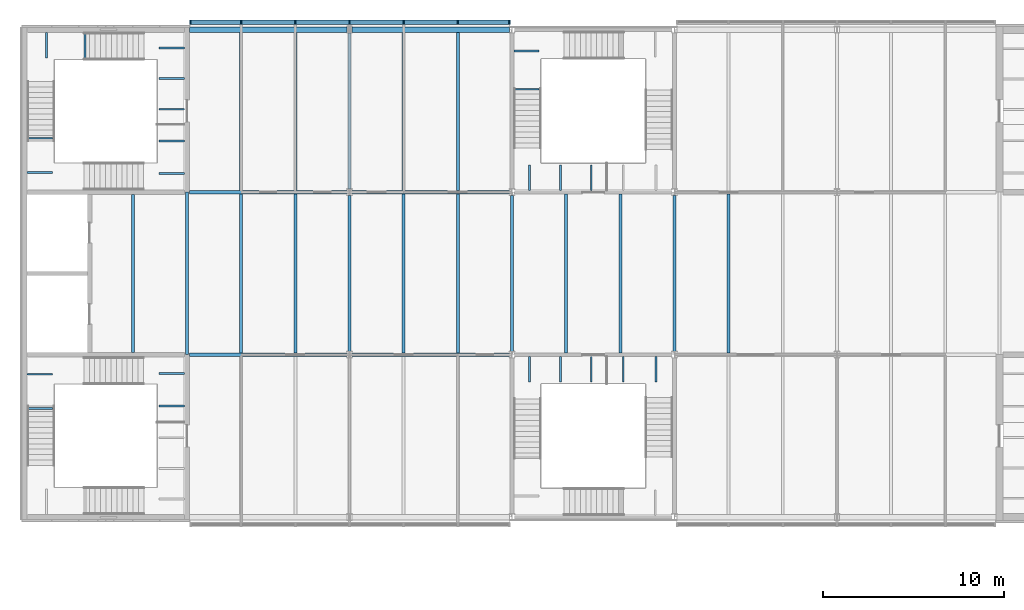
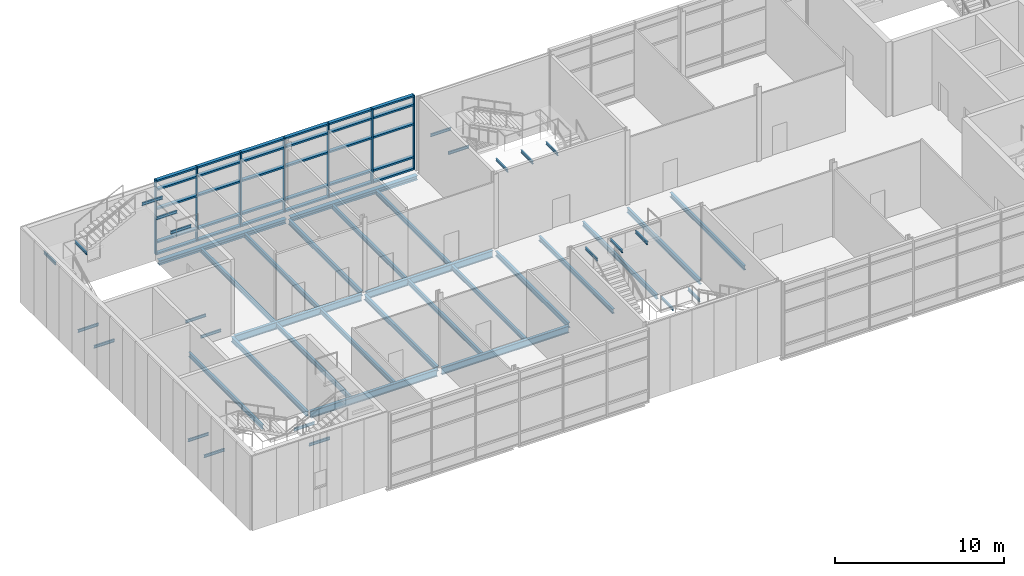
# One storey, part 15 of 52: 46 beams, 37 members, 1 element without a shape of its own.
"""IFC4 building model written with IfcOpenShell, lengths in metres."""

from ifc_helpers import new_model, si_unit, direction, frame, origin, origin_2d, place, context, subcontext, project, spatial, rectangle, i_section, extrude, material, material_profile, profile_set, type_object, element, aggregate, save


model = new_model("IFC4")

# Units and contexts
model_context = context("Model", 3, precision=1e-05, world=origin(), true_north=direction((0.0, 1.0)))
body_context = subcontext(model_context, "Body", "Model", "MODEL_VIEW")
ifc_project = project(units=[si_unit("LENGTHUNIT", "METRE"), si_unit("AREAUNIT", "SQUARE_METRE"), si_unit("VOLUMEUNIT", "CUBIC_METRE"), si_unit("PLANEANGLEUNIT", "RADIAN"), si_unit("MASSUNIT", "GRAM", prefix="KILO")], contexts=[model_context])

# Site, building, storey
site_placement = place(None, origin())
site = spatial("IfcSite", under=ifc_project, at=site_placement, CompositionType="ELEMENT")
building_placement = place(site_placement, origin())
building = spatial("IfcBuilding", under=site, at=building_placement, Name="Azimuth Sports and Learning Centre", CompositionType="ELEMENT")
storey_placement = place(building_placement, frame((0.0, 0.0, 16.199951171875)))
storey = spatial("IfcBuildingStorey", under=building, at=storey_placement, Name="L03", CompositionType="ELEMENT", Elevation=16.199951171875)

# Beams
ifc_material_1 = material(Name="Steel S355", Category="steel")
ifc_material_profile_1 = material_profile(ifc_material_1, i_section(OverallWidth=0.10009765625, OverallDepth=0.199951171875, WebThickness=0.005615234375, FlangeThickness=0.008544921875, FilletRadius=0.011962890625, at=origin_2d()), Name="IPE 200")
ifc_profile_set_1 = profile_set([ifc_material_profile_1], Name="Steel S355")
beam_type_1 = type_object("IfcBeamType", Name="Beam IPE 200", PredefinedType="BEAM", material=ifc_profile_set_1)
for number, where, z_axis, x_axis, name in (
    (1, (8.85009765625, 96.15380859375, -0.300048828125), (-1.0, 0.0, 0.0), (0.0, -1.0, 0.0), "Landing bracket WW1 L03 738"),
    (2, (8.85009765625, 97.961181640625, -0.300048828125), (-1.0, 0.0, 0.0), (0.0, -1.0, 0.0), "Landing bracket WW1 L03 739"),
    (3, (0.14990234375, 96.014892578125, 1.5), (1.0, 0.0, 0.0), (0.0, 1.0, 0.0), "Landing bracket WW1 L03 740"),
    (4, (0.14990234375, 97.9150390625, 1.5), (1.0, 0.0, 0.0), (0.0, 1.0, 0.0), "Landing bracket WW1 L03 741"),
    (5, (8.85009765625, 109.038818359375, -0.300048828125), (-1.0, 0.0, 0.0), (0.0, -1.0, 0.0), "Landing bracket WW2 L03 772"),
    (6, (8.85009765625, 110.84619140625, -0.300048828125), (-1.0, 0.0, 0.0), (0.0, -1.0, 0.0), "Landing bracket WW2 L03 773"),
    (7, (0.14990234375, 109.0849609375, 1.5), (1.0, 0.0, 0.0), (0.0, 1.0, 0.0), "Landing bracket WW2 L03 774"),
    (8, (0.14990234375, 110.985107421875, 1.5), (1.0, 0.0, 0.0), (0.0, 1.0, 0.0), "Landing bracket WW2 L03 775"),
    (9, (1.222412109375, 116.85009765625, 3.300048828125), (0.0, -1.0, 0.0), (1.0, 0.0, 0.0), "Landing bracket WW2 L03 776"),
    (10, (3.347412109375, 116.85009765625, 3.300048828125), (0.0, -1.0, 0.0), (1.0, 0.0, 0.0), "Landing bracket WW2 L03 777"),
    (11, (8.85009765625, 112.598388671875, 5.10009765625), (-1.0, 0.0, 0.0), (0.0, -1.0, 0.0), "Landing bracket WW2 L03 778"),
    (12, (8.85009765625, 114.294921875, 5.10009765625), (-1.0, 0.0, 0.0), (0.0, -1.0, 0.0), "Landing bracket WW2 L03 779"),
    (13, (8.85009765625, 115.99169921875, 5.10009765625), (-1.0, 0.0, 0.0), (0.0, -1.0, 0.0), "Landing bracket WW2 L03 780"),
):
    element("IfcBeam", number, at=place(storey_placement, frame(where, z_axis=z_axis, x_axis=x_axis)), inside=storey, type_object=beam_type_1, Name=name, PredefinedType="BEAM", context=body_context, shape_type="SweptSolid", body=[
        extrude(i_section(OverallWidth=0.10009765625, OverallDepth=0.199951171875, WebThickness=0.005615234375, FlangeThickness=0.008544921875, FilletRadius=0.011962890625, at=origin_2d()), origin(), (0.0, 0.0, 1.0), 1.41015625),
    ])
for number, where, z_axis, x_axis, name in (
    (14, (33.159912109375, 98.89990234375, -0.300048828125), (0.0, -1.0, 0.0), (1.0, 0.0, 0.0), "Landing bracket WM1 L03 874"),
    (15, (34.97998046875, 98.89990234375, -0.300048828125), (0.0, -1.0, 0.0), (1.0, 0.0, 0.0), "Landing bracket WM1 L03 875"),
    (16, (27.966552734375, 98.89990234375, 5.10009765625), (0.0, -1.0, 0.0), (1.0, 0.0, 0.0), "Landing bracket WM1 L03 880"),
    (17, (29.679931640625, 98.89990234375, 5.10009765625), (0.0, -1.0, 0.0), (1.0, 0.0, 0.0), "Landing bracket WM1 L03 881"),
    (18, (31.393310546875, 98.89990234375, 5.10009765625), (0.0, -1.0, 0.0), (1.0, 0.0, 0.0), "Landing bracket WM1 L03 882"),
    (19, (27.10009765625, 113.702392578125, 3.300048828125), (1.0, 0.0, 0.0), (0.0, 1.0, 0.0), "Landing bracket WM2 L03 912"),
    (20, (27.10009765625, 115.827392578125, 3.300048828125), (1.0, 0.0, 0.0), (0.0, 1.0, 0.0), "Landing bracket WM2 L03 913"),
    (21, (27.966552734375, 108.10009765625, 5.10009765625), (0.0, 1.0, 0.0), (-1.0, 0.0, 0.0), "Landing bracket WM2 L03 914"),
    (22, (29.679931640625, 108.10009765625, 5.10009765625), (0.0, 1.0, 0.0), (-1.0, 0.0, 0.0), "Landing bracket WM2 L03 915"),
    (23, (31.393310546875, 108.10009765625, 5.10009765625), (0.0, 1.0, 0.0), (-1.0, 0.0, 0.0), "Landing bracket WM2 L03 916"),
):
    element("IfcBeam", number, at=place(storey_placement, frame(where, z_axis=z_axis, x_axis=x_axis)), inside=storey, type_object=beam_type_1, Name=name, PredefinedType="BEAM", context=body_context, shape_type="SweptSolid", body=[
        extrude(i_section(OverallWidth=0.10009765625, OverallDepth=0.199951171875, WebThickness=0.005615234375, FlangeThickness=0.008544921875, FilletRadius=0.011962890625, at=origin_2d()), origin(), (0.0, 0.0, 1.0), 1.409912109375),
    ])
ifc_material_2 = material(Name="Steel S355", Category="steel")
ifc_material_profile_2 = material_profile(ifc_material_2, i_section(OverallWidth=0.169921875, OverallDepth=0.360107421875, WebThickness=0.008056640625, FlangeThickness=0.0126953125, FilletRadius=0.01806640625, at=origin_2d()), Name="IPE 360")
ifc_profile_set_2 = profile_set([ifc_material_profile_2], Name="Steel S355")
beam_type_2 = type_object("IfcBeamType", Name="Beam IPE 360", PredefinedType="BEAM", material=ifc_profile_set_2)
beam_1_placement = place(storey_placement, frame((9.0, 99.0, -0.329833984375), z_axis=(0.0, 1.0, 0.0), x_axis=(-1.0, 0.0, 0.0)))
element("IfcBeam", 24, at=beam_1_placement, inside=storey, type_object=beam_type_2, Name="Beam L03 WW 17", PredefinedType="BEAM", context=body_context, shape_type="SweptSolid", body=[
    extrude(i_section(OverallWidth=0.169921875, OverallDepth=0.360107421875, WebThickness=0.008056640625, FlangeThickness=0.0126953125, FilletRadius=0.01806640625, at=origin_2d()), origin(), (0.0, 0.0, 1.0), 9.0),
])
for number, where, z_axis, x_axis, name in (
    (25, (18.0, 99.179931640625, -0.329833984375), (0.0, 1.0, 0.0), (-1.0, 0.0, 0.0), "Beam L03 WW 19"),
    (26, (18.0, 108.179931640625, -0.329833984375), (0.0, 1.0, 0.0), (-1.0, 0.0, 0.0), "Beam L03 WW 20"),
    (27, (27.0, 99.179931640625, -0.329833984375), (0.0, 1.0, 0.0), (-1.0, 0.0, 0.0), "Beam L03 WW 21"),
    (28, (36.0, 99.179931640625, -0.329833984375), (0.0, 1.0, 0.0), (-1.0, 0.0, 0.0), "Beam L03 WW 22"),
):
    element("IfcBeam", number, at=place(storey_placement, frame(where, z_axis=z_axis, x_axis=x_axis)), inside=storey, type_object=beam_type_2, Name=name, PredefinedType="BEAM", context=body_context, shape_type="SweptSolid", body=[
        extrude(i_section(OverallWidth=0.169921875, OverallDepth=0.360107421875, WebThickness=0.008056640625, FlangeThickness=0.0126953125, FilletRadius=0.01806640625, at=origin_2d()), origin(), (0.0, 0.0, 1.0), 8.64013671875),
    ])
ifc_material_3 = material(Name="Steel S355", Category="steel")
ifc_material_profile_3 = material_profile(ifc_material_3, i_section(OverallWidth=0.199951171875, OverallDepth=0.5, WebThickness=0.01025390625, FlangeThickness=0.01611328125, FilletRadius=0.02099609375, at=origin_2d()), Name="IPE 500")
ifc_profile_set_3 = profile_set([ifc_material_profile_3], Name="Steel S355")
beam_type_3 = type_object("IfcBeamType", Name="Beam IPE 500", PredefinedType="BEAM", material=ifc_profile_set_3)
for number, where, z_axis, x_axis, name in (
    (29, (9.14990234375, 99.0, -0.39990234375), (1.0, 0.0, 0.0), (0.0, 1.0, 0.0), "Beam L03 WW 5"),
    (30, (18.14990234375, 99.0, -0.39990234375), (1.0, 0.0, 0.0), (0.0, 1.0, 0.0), "Beam L03 WW 6"),
    (31, (9.14990234375, 108.0, -0.39990234375), (1.0, 0.0, 0.0), (0.0, 1.0, 0.0), "Beam L03 WW 9"),
    (32, (18.14990234375, 108.0, -0.39990234375), (1.0, 0.0, 0.0), (0.0, 1.0, 0.0), "Beam L03 WW 10"),
):
    element("IfcBeam", number, at=place(storey_placement, frame(where, z_axis=z_axis, x_axis=x_axis)), inside=storey, type_object=beam_type_3, Name=name, PredefinedType="BEAM", context=body_context, shape_type="SweptSolid", body=[
        extrude(i_section(OverallWidth=0.199951171875, OverallDepth=0.5, WebThickness=0.01025390625, FlangeThickness=0.01611328125, FilletRadius=0.02099609375, at=origin_2d()), origin(), (0.0, 0.0, 1.0), 8.7001953125),
    ])
ifc_material_4 = material(Name="Steel S355", Category="steel")
ifc_material_profile_4 = material_profile(ifc_material_4, i_section(OverallWidth=0.300048828125, OverallDepth=0.31005859375, WebThickness=0.009033203125, FlangeThickness=0.015380859375, FilletRadius=0.027099609375, at=origin_2d()), Name="HEA 320")
ifc_profile_set_4 = profile_set([ifc_material_profile_4], Name="Steel S355")
beam_type_4 = type_object("IfcBeamType", Name="Edge beam HEA 320", PredefinedType="SPANDREL", material=ifc_profile_set_4)
for number, where, z_axis, x_axis, name in (
    (33, (9.14990234375, 117.0, -0.304931640625), (1.0, 0.0, 0.0), (0.0, 1.0, 0.0), "Edge beam L03 WW 13"),
    (34, (18.14990234375, 117.0, -0.304931640625), (1.0, 0.0, 0.0), (0.0, 1.0, 0.0), "Edge beam L03 WW 14"),
):
    element("IfcBeam", number, at=place(storey_placement, frame(where, z_axis=z_axis, x_axis=x_axis)), inside=storey, type_object=beam_type_4, Name=name, PredefinedType="SPANDREL", context=body_context, shape_type="SweptSolid", body=[
        extrude(i_section(OverallWidth=0.300048828125, OverallDepth=0.31005859375, WebThickness=0.009033203125, FlangeThickness=0.015380859375, FilletRadius=0.027099609375, at=origin_2d()), origin(), (0.0, 0.0, 1.0), 8.7001953125),
    ])
ifc_material_5 = material(Name="Steel S355", Category="steel")
ifc_material_profile_5 = material_profile(ifc_material_5, i_section(OverallWidth=0.159912109375, OverallDepth=0.330078125, WebThickness=0.007568359375, FlangeThickness=0.011474609375, FilletRadius=0.01806640625, at=origin_2d()), Name="IPE 330")
ifc_profile_set_5 = profile_set([ifc_material_profile_5], Name="Steel S355")
beam_type_5 = type_object("IfcBeamType", Name="Joist IPE 330", PredefinedType="JOIST", material=ifc_profile_set_5)
beam_2_placement = place(storey_placement, frame((6.0, 99.125, -0.31494140625), z_axis=(0.0, 1.0, 0.0), x_axis=(-1.0, 0.0, 0.0)))
element("IfcBeam", 35, at=beam_2_placement, inside=storey, type_object=beam_type_5, Name="Joist L03 WW 27", PredefinedType="JOIST", context=body_context, shape_type="SweptSolid", body=[
    extrude(i_section(OverallWidth=0.159912109375, OverallDepth=0.330078125, WebThickness=0.007568359375, FlangeThickness=0.011474609375, FilletRadius=0.01806640625, at=origin_2d()), origin(), (0.0, 0.0, 1.0), 8.75),
])
beam_3_placement = place(storey_placement, frame((12.0, 99.10009765625, -0.31494140625), z_axis=(0.0, 1.0, 0.0), x_axis=(-1.0, 0.0, 0.0)))
element("IfcBeam", 36, at=beam_3_placement, inside=storey, type_object=beam_type_5, Name="Joist L03 WW 29", PredefinedType="JOIST", context=body_context, shape_type="SweptSolid", body=[
    extrude(i_section(OverallWidth=0.159912109375, OverallDepth=0.330078125, WebThickness=0.007568359375, FlangeThickness=0.011474609375, FilletRadius=0.01806640625, at=origin_2d()), origin(), (0.0, 0.0, 1.0), 8.7998046875),
])
beam_4_placement = place(storey_placement, frame((12.0, 108.10009765625, -0.31494140625), z_axis=(0.0, 1.0, 0.0), x_axis=(-1.0, 0.0, 0.0)))
element("IfcBeam", 37, at=beam_4_placement, inside=storey, type_object=beam_type_5, Name="Joist L03 WW 30", PredefinedType="JOIST", context=body_context, shape_type="SweptSolid", body=[
    extrude(i_section(OverallWidth=0.159912109375, OverallDepth=0.330078125, WebThickness=0.007568359375, FlangeThickness=0.011474609375, FilletRadius=0.01806640625, at=origin_2d()), origin(), (0.0, 0.0, 1.0), 8.75),
])
beam_5_placement = place(storey_placement, frame((15.0, 99.10009765625, -0.31494140625), z_axis=(0.0, 1.0, 0.0), x_axis=(-1.0, 0.0, 0.0)))
element("IfcBeam", 38, at=beam_5_placement, inside=storey, type_object=beam_type_5, Name="Joist L03 WW 32", PredefinedType="JOIST", context=body_context, shape_type="SweptSolid", body=[
    extrude(i_section(OverallWidth=0.159912109375, OverallDepth=0.330078125, WebThickness=0.007568359375, FlangeThickness=0.011474609375, FilletRadius=0.01806640625, at=origin_2d()), origin(), (0.0, 0.0, 1.0), 8.7998046875),
])
beam_6_placement = place(storey_placement, frame((15.0, 108.10009765625, -0.31494140625), z_axis=(0.0, 1.0, 0.0), x_axis=(-1.0, 0.0, 0.0)))
element("IfcBeam", 39, at=beam_6_placement, inside=storey, type_object=beam_type_5, Name="Joist L03 WW 33", PredefinedType="JOIST", context=body_context, shape_type="SweptSolid", body=[
    extrude(i_section(OverallWidth=0.159912109375, OverallDepth=0.330078125, WebThickness=0.007568359375, FlangeThickness=0.011474609375, FilletRadius=0.01806640625, at=origin_2d()), origin(), (0.0, 0.0, 1.0), 8.75),
])
beam_7_placement = place(storey_placement, frame((21.0, 99.10009765625, -0.31494140625), z_axis=(0.0, 1.0, 0.0), x_axis=(-1.0, 0.0, 0.0)))
element("IfcBeam", 40, at=beam_7_placement, inside=storey, type_object=beam_type_5, Name="Joist L03 WW 35", PredefinedType="JOIST", context=body_context, shape_type="SweptSolid", body=[
    extrude(i_section(OverallWidth=0.159912109375, OverallDepth=0.330078125, WebThickness=0.007568359375, FlangeThickness=0.011474609375, FilletRadius=0.01806640625, at=origin_2d()), origin(), (0.0, 0.0, 1.0), 8.7998046875),
])
beam_8_placement = place(storey_placement, frame((21.0, 108.10009765625, -0.31494140625), z_axis=(0.0, 1.0, 0.0), x_axis=(-1.0, 0.0, 0.0)))
element("IfcBeam", 41, at=beam_8_placement, inside=storey, type_object=beam_type_5, Name="Joist L03 WW 36", PredefinedType="JOIST", context=body_context, shape_type="SweptSolid", body=[
    extrude(i_section(OverallWidth=0.159912109375, OverallDepth=0.330078125, WebThickness=0.007568359375, FlangeThickness=0.011474609375, FilletRadius=0.01806640625, at=origin_2d()), origin(), (0.0, 0.0, 1.0), 8.75),
])
beam_9_placement = place(storey_placement, frame((24.0, 99.10009765625, -0.31494140625), z_axis=(0.0, 1.0, 0.0), x_axis=(-1.0, 0.0, 0.0)))
element("IfcBeam", 42, at=beam_9_placement, inside=storey, type_object=beam_type_5, Name="Joist L03 WW 38", PredefinedType="JOIST", context=body_context, shape_type="SweptSolid", body=[
    extrude(i_section(OverallWidth=0.159912109375, OverallDepth=0.330078125, WebThickness=0.007568359375, FlangeThickness=0.011474609375, FilletRadius=0.01806640625, at=origin_2d()), origin(), (0.0, 0.0, 1.0), 8.7998046875),
])
beam_10_placement = place(storey_placement, frame((24.0, 108.10009765625, -0.31494140625), z_axis=(0.0, 1.0, 0.0), x_axis=(-1.0, 0.0, 0.0)))
element("IfcBeam", 43, at=beam_10_placement, inside=storey, type_object=beam_type_5, Name="Joist L03 WW 39", PredefinedType="JOIST", context=body_context, shape_type="SweptSolid", body=[
    extrude(i_section(OverallWidth=0.159912109375, OverallDepth=0.330078125, WebThickness=0.007568359375, FlangeThickness=0.011474609375, FilletRadius=0.01806640625, at=origin_2d()), origin(), (0.0, 0.0, 1.0), 8.75),
])
for number, where, z_axis, x_axis, name in (
    (44, (30.0, 99.10009765625, -0.31494140625), (0.0, 1.0, 0.0), (-1.0, 0.0, 0.0), "Joist L03 WW 40"),
    (45, (33.0, 99.10009765625, -0.31494140625), (0.0, 1.0, 0.0), (-1.0, 0.0, 0.0), "Joist L03 WW 41"),
    (46, (39.0, 99.10009765625, -0.31494140625), (0.0, 1.0, 0.0), (-1.0, 0.0, 0.0), "Joist L03 WW 43"),
):
    element("IfcBeam", number, at=place(storey_placement, frame(where, z_axis=z_axis, x_axis=x_axis)), inside=storey, type_object=beam_type_5, Name=name, PredefinedType="JOIST", context=body_context, shape_type="SweptSolid", body=[
        extrude(i_section(OverallWidth=0.159912109375, OverallDepth=0.330078125, WebThickness=0.007568359375, FlangeThickness=0.011474609375, FilletRadius=0.01806640625, at=origin_2d()), origin(), (0.0, 0.0, 1.0), 8.7998046875),
    ])

# Curtain wall, members
ifc_material_6 = material(Name="Aluminium and glass", Category="aluminium")
curtain_wall_type = type_object("IfcCurtainWallType", Name="Curtain wall podium wing 240", PredefinedType="NOTDEFINED", material=ifc_material_6)
curtain_wall_placement = place(storey_placement, origin())
curtain_wall = element("IfcCurtainWall", 47, at=curtain_wall_placement, inside=storey, type_object=curtain_wall_type, Name="Curtain wall CW03-014", PredefinedType="NOTDEFINED")
ifc_material_7 = material(Name="Aluminium", Category="aluminium")
ifc_material_profile_6 = material_profile(ifc_material_7, rectangle(XDim=0.239990234375, YDim=0.080078125, at=origin_2d()), Name="Mullion 80x240")
ifc_profile_set_6 = profile_set([ifc_material_profile_6], Name="Aluminium")
member_type_1 = type_object("IfcMemberType", Name="Mullion 80x240", PredefinedType="MULLION", material=ifc_profile_set_6)
member_1_placement = place(storey_placement, frame((26.860107421875, 117.419921875, 0.0), z_axis=(0.0, 0.0, 1.0), x_axis=(0.0, -1.0, 0.0)))
member_1 = element("IfcMember", 48, at=member_1_placement, type_object=member_type_1, Name="CW03-014 mullion 1", PredefinedType="MULLION", context=body_context, shape_type="SweptSolid", body=[
    extrude(rectangle(XDim=0.239990234375, YDim=0.080078125, at=origin_2d()), origin(), (0.0, 0.0, 1.0), 5.400146484375),
])
member_2_placement = place(storey_placement, frame((24.0, 117.419921875, 0.0), z_axis=(0.0, 0.0, 1.0), x_axis=(0.0, -1.0, 0.0)))
member_2 = element("IfcMember", 49, at=member_2_placement, type_object=member_type_1, Name="CW03-014 mullion 2", PredefinedType="MULLION", context=body_context, shape_type="SweptSolid", body=[
    extrude(rectangle(XDim=0.239990234375, YDim=0.080078125, at=origin_2d()), origin(), (0.0, 0.0, 1.0), 5.400146484375),
])
member_3_placement = place(storey_placement, frame((21.0, 117.419921875, 0.0), z_axis=(0.0, 0.0, 1.0), x_axis=(0.0, -1.0, 0.0)))
member_3 = element("IfcMember", 50, at=member_3_placement, type_object=member_type_1, Name="CW03-014 mullion 3", PredefinedType="MULLION", context=body_context, shape_type="SweptSolid", body=[
    extrude(rectangle(XDim=0.239990234375, YDim=0.080078125, at=origin_2d()), origin(), (0.0, 0.0, 1.0), 5.400146484375),
])
member_4_placement = place(storey_placement, frame((18.0, 117.419921875, 0.0), z_axis=(0.0, 0.0, 1.0), x_axis=(0.0, -1.0, 0.0)))
member_4 = element("IfcMember", 51, at=member_4_placement, type_object=member_type_1, Name="CW03-014 mullion 4", PredefinedType="MULLION", context=body_context, shape_type="SweptSolid", body=[
    extrude(rectangle(XDim=0.239990234375, YDim=0.080078125, at=origin_2d()), origin(), (0.0, 0.0, 1.0), 5.400146484375),
])
member_5_placement = place(storey_placement, frame((15.0, 117.419921875, 0.0), z_axis=(0.0, 0.0, 1.0), x_axis=(0.0, -1.0, 0.0)))
member_5 = element("IfcMember", 52, at=member_5_placement, type_object=member_type_1, Name="CW03-014 mullion 5", PredefinedType="MULLION", context=body_context, shape_type="SweptSolid", body=[
    extrude(rectangle(XDim=0.239990234375, YDim=0.080078125, at=origin_2d()), origin(), (0.0, 0.0, 1.0), 5.400146484375),
])
member_6_placement = place(storey_placement, frame((12.0, 117.419921875, 0.0), z_axis=(0.0, 0.0, 1.0), x_axis=(0.0, -1.0, 0.0)))
member_6 = element("IfcMember", 53, at=member_6_placement, type_object=member_type_1, Name="CW03-014 mullion 6", PredefinedType="MULLION", context=body_context, shape_type="SweptSolid", body=[
    extrude(rectangle(XDim=0.239990234375, YDim=0.080078125, at=origin_2d()), origin(), (0.0, 0.0, 1.0), 5.400146484375),
])
member_7_placement = place(storey_placement, frame((9.18994140625, 117.419921875, 0.0), z_axis=(0.0, 0.0, 1.0), x_axis=(0.0, -1.0, 0.0)))
member_7 = element("IfcMember", 54, at=member_7_placement, type_object=member_type_1, Name="CW03-014 mullion 7", PredefinedType="MULLION", context=body_context, shape_type="SweptSolid", body=[
    extrude(rectangle(XDim=0.239990234375, YDim=0.080078125, at=origin_2d()), origin(), (0.0, 0.0, 1.0), 5.400146484375),
])
ifc_material_8 = material(Name="Aluminium", Category="aluminium")
ifc_material_profile_7 = material_profile(ifc_material_8, rectangle(XDim=0.239990234375, YDim=0.1201171875, at=origin_2d()), Name="Transom 120x240")
ifc_profile_set_7 = profile_set([ifc_material_profile_7], Name="Aluminium")
member_type_2 = type_object("IfcMemberType", Name="Transom 120x240", PredefinedType="USERDEFINED", material=ifc_profile_set_7)
member_8_placement = place(storey_placement, frame((26.820068359375, 117.419921875, 0.06005859375), z_axis=(-1.0, 0.0, 0.0), x_axis=(0.0, -1.0, 0.0)))
member_8 = element("IfcMember", 55, at=member_8_placement, type_object=member_type_2, Name="CW03-014 transom 1.1", ObjectType="TRANSOM", PredefinedType="USERDEFINED", context=body_context, shape_type="SweptSolid", body=[
    extrude(rectangle(XDim=0.239990234375, YDim=0.1201171875, at=origin_2d()), origin(), (0.0, 0.0, 1.0), 2.780029296875),
])
member_9_placement = place(storey_placement, frame((26.820068359375, 117.419921875, 0.900146484375), z_axis=(-1.0, 0.0, 0.0), x_axis=(0.0, -1.0, 0.0)))
member_9 = element("IfcMember", 56, at=member_9_placement, type_object=member_type_2, Name="CW03-014 transom 1.2", ObjectType="TRANSOM", PredefinedType="USERDEFINED", context=body_context, shape_type="SweptSolid", body=[
    extrude(rectangle(XDim=0.239990234375, YDim=0.1201171875, at=origin_2d()), origin(), (0.0, 0.0, 1.0), 2.780029296875),
])
member_10_placement = place(storey_placement, frame((26.820068359375, 117.419921875, 3.300048828125), z_axis=(-1.0, 0.0, 0.0), x_axis=(0.0, -1.0, 0.0)))
member_10 = element("IfcMember", 57, at=member_10_placement, type_object=member_type_2, Name="CW03-014 transom 1.3", ObjectType="TRANSOM", PredefinedType="USERDEFINED", context=body_context, shape_type="SweptSolid", body=[
    extrude(rectangle(XDim=0.239990234375, YDim=0.1201171875, at=origin_2d()), origin(), (0.0, 0.0, 1.0), 2.780029296875),
])
member_11_placement = place(storey_placement, frame((26.820068359375, 117.419921875, 4.699951171875), z_axis=(-1.0, 0.0, 0.0), x_axis=(0.0, -1.0, 0.0)))
member_11 = element("IfcMember", 58, at=member_11_placement, type_object=member_type_2, Name="CW03-014 transom 1.4", ObjectType="TRANSOM", PredefinedType="USERDEFINED", context=body_context, shape_type="SweptSolid", body=[
    extrude(rectangle(XDim=0.239990234375, YDim=0.1201171875, at=origin_2d()), origin(), (0.0, 0.0, 1.0), 2.780029296875),
])
member_12_placement = place(storey_placement, frame((26.820068359375, 117.419921875, 5.340087890625), z_axis=(-1.0, 0.0, 0.0), x_axis=(0.0, -1.0, 0.0)))
member_12 = element("IfcMember", 59, at=member_12_placement, type_object=member_type_2, Name="CW03-014 transom 1.5", ObjectType="TRANSOM", PredefinedType="USERDEFINED", context=body_context, shape_type="SweptSolid", body=[
    extrude(rectangle(XDim=0.239990234375, YDim=0.1201171875, at=origin_2d()), origin(), (0.0, 0.0, 1.0), 2.780029296875),
])
member_13_placement = place(storey_placement, frame((23.9599609375, 117.419921875, 0.06005859375), z_axis=(-1.0, 0.0, 0.0), x_axis=(0.0, -1.0, 0.0)))
member_13 = element("IfcMember", 60, at=member_13_placement, type_object=member_type_2, Name="CW03-014 transom 2.1", ObjectType="TRANSOM", PredefinedType="USERDEFINED", context=body_context, shape_type="SweptSolid", body=[
    extrude(rectangle(XDim=0.239990234375, YDim=0.1201171875, at=origin_2d()), origin(), (0.0, 0.0, 1.0), 2.919921875),
])
member_14_placement = place(storey_placement, frame((23.9599609375, 117.419921875, 0.900146484375), z_axis=(-1.0, 0.0, 0.0), x_axis=(0.0, -1.0, 0.0)))
member_14 = element("IfcMember", 61, at=member_14_placement, type_object=member_type_2, Name="CW03-014 transom 2.2", ObjectType="TRANSOM", PredefinedType="USERDEFINED", context=body_context, shape_type="SweptSolid", body=[
    extrude(rectangle(XDim=0.239990234375, YDim=0.1201171875, at=origin_2d()), origin(), (0.0, 0.0, 1.0), 2.919921875),
])
member_15_placement = place(storey_placement, frame((23.9599609375, 117.419921875, 3.300048828125), z_axis=(-1.0, 0.0, 0.0), x_axis=(0.0, -1.0, 0.0)))
member_15 = element("IfcMember", 62, at=member_15_placement, type_object=member_type_2, Name="CW03-014 transom 2.3", ObjectType="TRANSOM", PredefinedType="USERDEFINED", context=body_context, shape_type="SweptSolid", body=[
    extrude(rectangle(XDim=0.239990234375, YDim=0.1201171875, at=origin_2d()), origin(), (0.0, 0.0, 1.0), 2.919921875),
])
member_16_placement = place(storey_placement, frame((23.9599609375, 117.419921875, 4.699951171875), z_axis=(-1.0, 0.0, 0.0), x_axis=(0.0, -1.0, 0.0)))
member_16 = element("IfcMember", 63, at=member_16_placement, type_object=member_type_2, Name="CW03-014 transom 2.4", ObjectType="TRANSOM", PredefinedType="USERDEFINED", context=body_context, shape_type="SweptSolid", body=[
    extrude(rectangle(XDim=0.239990234375, YDim=0.1201171875, at=origin_2d()), origin(), (0.0, 0.0, 1.0), 2.919921875),
])
member_17_placement = place(storey_placement, frame((23.9599609375, 117.419921875, 5.340087890625), z_axis=(-1.0, 0.0, 0.0), x_axis=(0.0, -1.0, 0.0)))
member_17 = element("IfcMember", 64, at=member_17_placement, type_object=member_type_2, Name="CW03-014 transom 2.5", ObjectType="TRANSOM", PredefinedType="USERDEFINED", context=body_context, shape_type="SweptSolid", body=[
    extrude(rectangle(XDim=0.239990234375, YDim=0.1201171875, at=origin_2d()), origin(), (0.0, 0.0, 1.0), 2.919921875),
])
member_18_placement = place(storey_placement, frame((20.9599609375, 117.419921875, 0.06005859375), z_axis=(-1.0, 0.0, 0.0), x_axis=(0.0, -1.0, 0.0)))
member_18 = element("IfcMember", 65, at=member_18_placement, type_object=member_type_2, Name="CW03-014 transom 3.1", ObjectType="TRANSOM", PredefinedType="USERDEFINED", context=body_context, shape_type="SweptSolid", body=[
    extrude(rectangle(XDim=0.239990234375, YDim=0.1201171875, at=origin_2d()), origin(), (0.0, 0.0, 1.0), 2.919921875),
])
member_19_placement = place(storey_placement, frame((20.9599609375, 117.419921875, 0.900146484375), z_axis=(-1.0, 0.0, 0.0), x_axis=(0.0, -1.0, 0.0)))
member_19 = element("IfcMember", 66, at=member_19_placement, type_object=member_type_2, Name="CW03-014 transom 3.2", ObjectType="TRANSOM", PredefinedType="USERDEFINED", context=body_context, shape_type="SweptSolid", body=[
    extrude(rectangle(XDim=0.239990234375, YDim=0.1201171875, at=origin_2d()), origin(), (0.0, 0.0, 1.0), 2.919921875),
])
member_20_placement = place(storey_placement, frame((20.9599609375, 117.419921875, 3.300048828125), z_axis=(-1.0, 0.0, 0.0), x_axis=(0.0, -1.0, 0.0)))
member_20 = element("IfcMember", 67, at=member_20_placement, type_object=member_type_2, Name="CW03-014 transom 3.3", ObjectType="TRANSOM", PredefinedType="USERDEFINED", context=body_context, shape_type="SweptSolid", body=[
    extrude(rectangle(XDim=0.239990234375, YDim=0.1201171875, at=origin_2d()), origin(), (0.0, 0.0, 1.0), 2.919921875),
])
member_21_placement = place(storey_placement, frame((20.9599609375, 117.419921875, 4.699951171875), z_axis=(-1.0, 0.0, 0.0), x_axis=(0.0, -1.0, 0.0)))
member_21 = element("IfcMember", 68, at=member_21_placement, type_object=member_type_2, Name="CW03-014 transom 3.4", ObjectType="TRANSOM", PredefinedType="USERDEFINED", context=body_context, shape_type="SweptSolid", body=[
    extrude(rectangle(XDim=0.239990234375, YDim=0.1201171875, at=origin_2d()), origin(), (0.0, 0.0, 1.0), 2.919921875),
])
member_22_placement = place(storey_placement, frame((20.9599609375, 117.419921875, 5.340087890625), z_axis=(-1.0, 0.0, 0.0), x_axis=(0.0, -1.0, 0.0)))
member_22 = element("IfcMember", 69, at=member_22_placement, type_object=member_type_2, Name="CW03-014 transom 3.5", ObjectType="TRANSOM", PredefinedType="USERDEFINED", context=body_context, shape_type="SweptSolid", body=[
    extrude(rectangle(XDim=0.239990234375, YDim=0.1201171875, at=origin_2d()), origin(), (0.0, 0.0, 1.0), 2.919921875),
])
member_23_placement = place(storey_placement, frame((17.9599609375, 117.419921875, 0.06005859375), z_axis=(-1.0, 0.0, 0.0), x_axis=(0.0, -1.0, 0.0)))
member_23 = element("IfcMember", 70, at=member_23_placement, type_object=member_type_2, Name="CW03-014 transom 4.1", ObjectType="TRANSOM", PredefinedType="USERDEFINED", context=body_context, shape_type="SweptSolid", body=[
    extrude(rectangle(XDim=0.239990234375, YDim=0.1201171875, at=origin_2d()), origin(), (0.0, 0.0, 1.0), 2.919921875),
])
member_24_placement = place(storey_placement, frame((17.9599609375, 117.419921875, 0.900146484375), z_axis=(-1.0, 0.0, 0.0), x_axis=(0.0, -1.0, 0.0)))
member_24 = element("IfcMember", 71, at=member_24_placement, type_object=member_type_2, Name="CW03-014 transom 4.2", ObjectType="TRANSOM", PredefinedType="USERDEFINED", context=body_context, shape_type="SweptSolid", body=[
    extrude(rectangle(XDim=0.239990234375, YDim=0.1201171875, at=origin_2d()), origin(), (0.0, 0.0, 1.0), 2.919921875),
])
member_25_placement = place(storey_placement, frame((17.9599609375, 117.419921875, 3.300048828125), z_axis=(-1.0, 0.0, 0.0), x_axis=(0.0, -1.0, 0.0)))
member_25 = element("IfcMember", 72, at=member_25_placement, type_object=member_type_2, Name="CW03-014 transom 4.3", ObjectType="TRANSOM", PredefinedType="USERDEFINED", context=body_context, shape_type="SweptSolid", body=[
    extrude(rectangle(XDim=0.239990234375, YDim=0.1201171875, at=origin_2d()), origin(), (0.0, 0.0, 1.0), 2.919921875),
])
member_26_placement = place(storey_placement, frame((17.9599609375, 117.419921875, 4.699951171875), z_axis=(-1.0, 0.0, 0.0), x_axis=(0.0, -1.0, 0.0)))
member_26 = element("IfcMember", 73, at=member_26_placement, type_object=member_type_2, Name="CW03-014 transom 4.4", ObjectType="TRANSOM", PredefinedType="USERDEFINED", context=body_context, shape_type="SweptSolid", body=[
    extrude(rectangle(XDim=0.239990234375, YDim=0.1201171875, at=origin_2d()), origin(), (0.0, 0.0, 1.0), 2.919921875),
])
member_27_placement = place(storey_placement, frame((17.9599609375, 117.419921875, 5.340087890625), z_axis=(-1.0, 0.0, 0.0), x_axis=(0.0, -1.0, 0.0)))
member_27 = element("IfcMember", 74, at=member_27_placement, type_object=member_type_2, Name="CW03-014 transom 4.5", ObjectType="TRANSOM", PredefinedType="USERDEFINED", context=body_context, shape_type="SweptSolid", body=[
    extrude(rectangle(XDim=0.239990234375, YDim=0.1201171875, at=origin_2d()), origin(), (0.0, 0.0, 1.0), 2.919921875),
])
member_28_placement = place(storey_placement, frame((14.9599609375, 117.419921875, 0.06005859375), z_axis=(-1.0, 0.0, 0.0), x_axis=(0.0, -1.0, 0.0)))
member_28 = element("IfcMember", 75, at=member_28_placement, type_object=member_type_2, Name="CW03-014 transom 5.1", ObjectType="TRANSOM", PredefinedType="USERDEFINED", context=body_context, shape_type="SweptSolid", body=[
    extrude(rectangle(XDim=0.239990234375, YDim=0.1201171875, at=origin_2d()), origin(), (0.0, 0.0, 1.0), 2.919921875),
])
member_29_placement = place(storey_placement, frame((14.9599609375, 117.419921875, 0.900146484375), z_axis=(-1.0, 0.0, 0.0), x_axis=(0.0, -1.0, 0.0)))
member_29 = element("IfcMember", 76, at=member_29_placement, type_object=member_type_2, Name="CW03-014 transom 5.2", ObjectType="TRANSOM", PredefinedType="USERDEFINED", context=body_context, shape_type="SweptSolid", body=[
    extrude(rectangle(XDim=0.239990234375, YDim=0.1201171875, at=origin_2d()), origin(), (0.0, 0.0, 1.0), 2.919921875),
])
member_30_placement = place(storey_placement, frame((14.9599609375, 117.419921875, 3.300048828125), z_axis=(-1.0, 0.0, 0.0), x_axis=(0.0, -1.0, 0.0)))
member_30 = element("IfcMember", 77, at=member_30_placement, type_object=member_type_2, Name="CW03-014 transom 5.3", ObjectType="TRANSOM", PredefinedType="USERDEFINED", context=body_context, shape_type="SweptSolid", body=[
    extrude(rectangle(XDim=0.239990234375, YDim=0.1201171875, at=origin_2d()), origin(), (0.0, 0.0, 1.0), 2.919921875),
])
member_31_placement = place(storey_placement, frame((14.9599609375, 117.419921875, 4.699951171875), z_axis=(-1.0, 0.0, 0.0), x_axis=(0.0, -1.0, 0.0)))
member_31 = element("IfcMember", 78, at=member_31_placement, type_object=member_type_2, Name="CW03-014 transom 5.4", ObjectType="TRANSOM", PredefinedType="USERDEFINED", context=body_context, shape_type="SweptSolid", body=[
    extrude(rectangle(XDim=0.239990234375, YDim=0.1201171875, at=origin_2d()), origin(), (0.0, 0.0, 1.0), 2.919921875),
])
member_32_placement = place(storey_placement, frame((14.9599609375, 117.419921875, 5.340087890625), z_axis=(-1.0, 0.0, 0.0), x_axis=(0.0, -1.0, 0.0)))
member_32 = element("IfcMember", 79, at=member_32_placement, type_object=member_type_2, Name="CW03-014 transom 5.5", ObjectType="TRANSOM", PredefinedType="USERDEFINED", context=body_context, shape_type="SweptSolid", body=[
    extrude(rectangle(XDim=0.239990234375, YDim=0.1201171875, at=origin_2d()), origin(), (0.0, 0.0, 1.0), 2.919921875),
])
member_33_placement = place(storey_placement, frame((11.9599609375, 117.419921875, 0.06005859375), z_axis=(-1.0, 0.0, 0.0), x_axis=(0.0, -1.0, 0.0)))
member_33 = element("IfcMember", 80, at=member_33_placement, type_object=member_type_2, Name="CW03-014 transom 6.1", ObjectType="TRANSOM", PredefinedType="USERDEFINED", context=body_context, shape_type="SweptSolid", body=[
    extrude(rectangle(XDim=0.239990234375, YDim=0.1201171875, at=origin_2d()), origin(), (0.0, 0.0, 1.0), 2.72998046875),
])
member_34_placement = place(storey_placement, frame((11.9599609375, 117.419921875, 0.900146484375), z_axis=(-1.0, 0.0, 0.0), x_axis=(0.0, -1.0, 0.0)))
member_34 = element("IfcMember", 81, at=member_34_placement, type_object=member_type_2, Name="CW03-014 transom 6.2", ObjectType="TRANSOM", PredefinedType="USERDEFINED", context=body_context, shape_type="SweptSolid", body=[
    extrude(rectangle(XDim=0.239990234375, YDim=0.1201171875, at=origin_2d()), origin(), (0.0, 0.0, 1.0), 2.72998046875),
])
member_35_placement = place(storey_placement, frame((11.9599609375, 117.419921875, 3.300048828125), z_axis=(-1.0, 0.0, 0.0), x_axis=(0.0, -1.0, 0.0)))
member_35 = element("IfcMember", 82, at=member_35_placement, type_object=member_type_2, Name="CW03-014 transom 6.3", ObjectType="TRANSOM", PredefinedType="USERDEFINED", context=body_context, shape_type="SweptSolid", body=[
    extrude(rectangle(XDim=0.239990234375, YDim=0.1201171875, at=origin_2d()), origin(), (0.0, 0.0, 1.0), 2.72998046875),
])
member_36_placement = place(storey_placement, frame((11.9599609375, 117.419921875, 4.699951171875), z_axis=(-1.0, 0.0, 0.0), x_axis=(0.0, -1.0, 0.0)))
member_36 = element("IfcMember", 83, at=member_36_placement, type_object=member_type_2, Name="CW03-014 transom 6.4", ObjectType="TRANSOM", PredefinedType="USERDEFINED", context=body_context, shape_type="SweptSolid", body=[
    extrude(rectangle(XDim=0.239990234375, YDim=0.1201171875, at=origin_2d()), origin(), (0.0, 0.0, 1.0), 2.72998046875),
])
member_37_placement = place(storey_placement, frame((11.9599609375, 117.419921875, 5.340087890625), z_axis=(-1.0, 0.0, 0.0), x_axis=(0.0, -1.0, 0.0)))
member_37 = element("IfcMember", 84, at=member_37_placement, type_object=member_type_2, Name="CW03-014 transom 6.5", ObjectType="TRANSOM", PredefinedType="USERDEFINED", context=body_context, shape_type="SweptSolid", body=[
    extrude(rectangle(XDim=0.239990234375, YDim=0.1201171875, at=origin_2d()), origin(), (0.0, 0.0, 1.0), 2.72998046875),
])
aggregate(curtain_wall, [member_1, member_2, member_3, member_4, member_5, member_6, member_7, member_8, member_9, member_10, member_11, member_12, member_13, member_14, member_15, member_16, member_17, member_18, member_19, member_20, member_21, member_22, member_23, member_24, member_25, member_26, member_27, member_28, member_29, member_30, member_31, member_32, member_33, member_34, member_35, member_36, member_37])

save(model, "model.ifc")
